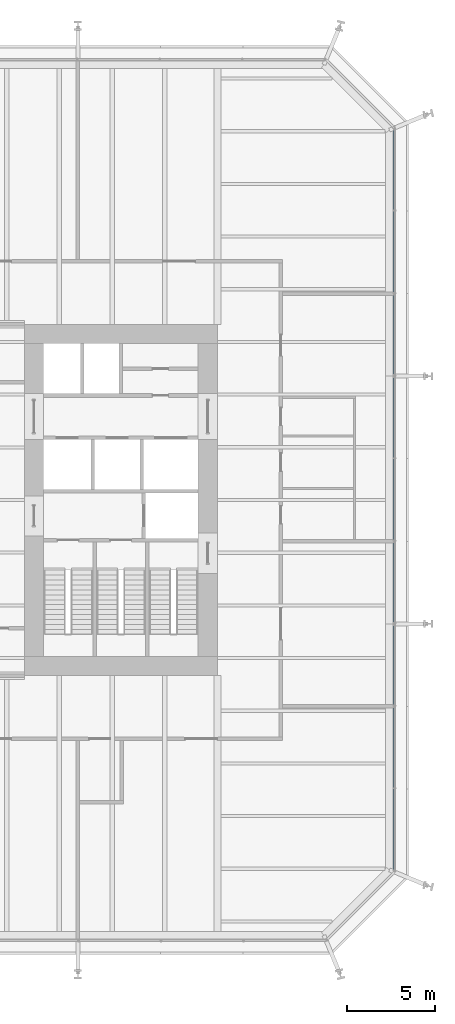
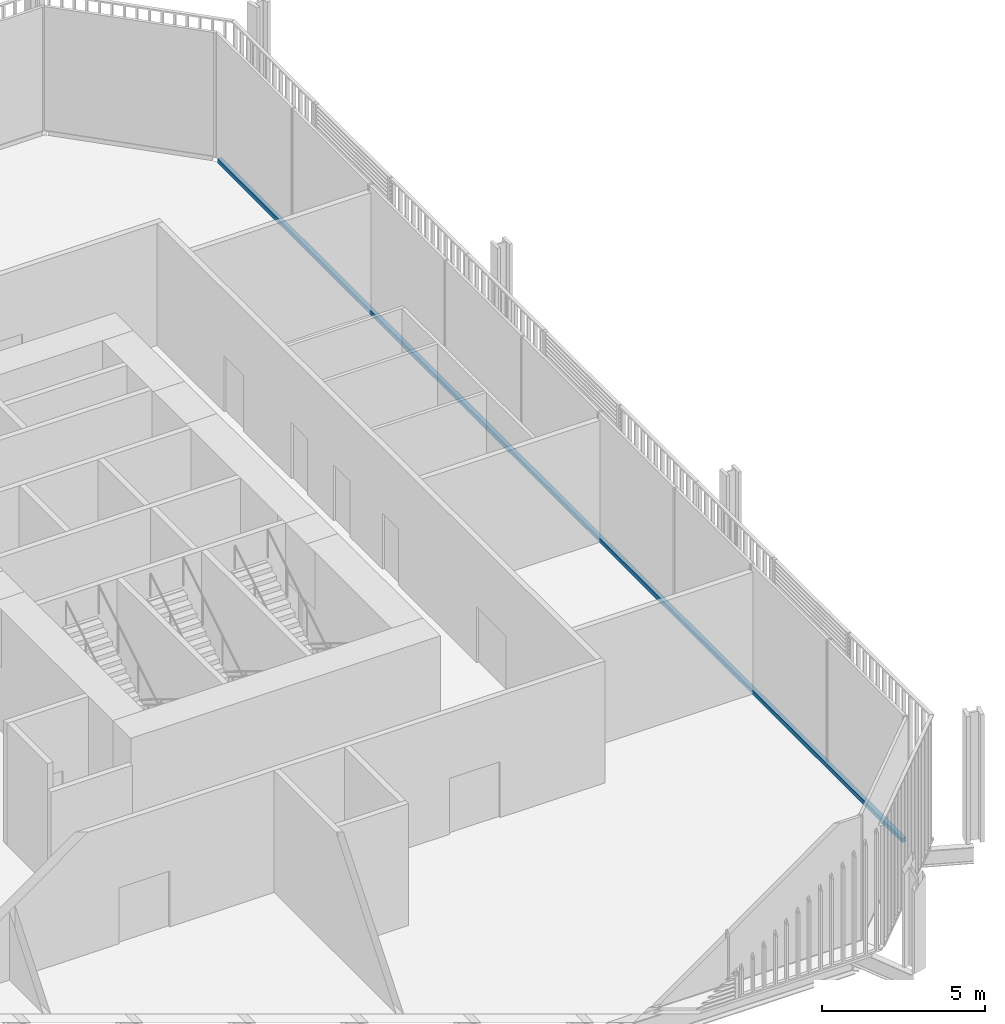
# One storey, part 10 of 22: 1 member, 1 element without a shape of its own.
"""IFC4 building model written with IfcOpenShell, lengths in metres."""

from ifc_helpers import new_model, si_unit, direction, frame, origin, origin_2d, place, context, subcontext, project, spatial, rectangle, extrude, material, layer, layer_set, material_profile, profile_set, type_object, element, aggregate, save


model = new_model("IFC4")

# Units and contexts
model_context = context("Model", 3, precision=1e-05, world=origin(), true_north=direction((0.0, 1.0)))
body_context = subcontext(model_context, "Body", "Model", "MODEL_VIEW")
ifc_project = project(units=[si_unit("LENGTHUNIT", "METRE"), si_unit("AREAUNIT", "SQUARE_METRE"), si_unit("VOLUMEUNIT", "CUBIC_METRE"), si_unit("PLANEANGLEUNIT", "RADIAN"), si_unit("MASSUNIT", "GRAM", prefix="KILO")], contexts=[model_context])

# Site, building, storey
site_placement = place(None, origin())
site = spatial("IfcSite", under=ifc_project, at=site_placement, CompositionType="ELEMENT")
building_placement = place(site_placement, origin())
building = spatial("IfcBuilding", under=site, at=building_placement, Name="Millrace Tower", CompositionType="ELEMENT")
storey_placement = place(building_placement, frame((0.0, 0.0, 40.10009765625)))
storey = spatial("IfcBuildingStorey", under=building, at=storey_placement, Name="L09", CompositionType="ELEMENT", Elevation=40.10009765625)

# Curtain wall, member
ifc_material_1 = material(Name="Aluminium and glass", Category="aluminium")
ifc_layer = layer(ifc_material_1, 0.14990234375)
ifc_layer_set = layer_set([ifc_layer], Name="Aluminium and glass")
curtain_wall_type = type_object("IfcCurtainWallType", Name="CW-2 data hall insulated curtain wall", PredefinedType="NOTDEFINED", material=ifc_layer_set)
curtain_wall_placement = place(storey_placement, origin())
curtain_wall = element("IfcCurtainWall", 1, at=curtain_wall_placement, inside=storey, type_object=curtain_wall_type, Name="Curtain wall A-F04 L09", PredefinedType="NOTDEFINED")
ifc_material_2 = material(Name="Aluminium", Category="aluminium")
ifc_material_profile = material_profile(ifc_material_2, rectangle(XDim=0.14990234375, YDim=0.159912109375, at=origin_2d()))
ifc_profile_set = profile_set([ifc_material_profile], Name="Aluminium")
member_type = type_object("IfcMemberType", Name="CW-2 data hall insulated curtain wall transom", PredefinedType="USERDEFINED", material=ifc_profile_set)
member_placement = place(storey_placement, frame((25.074951171875, -21.050048828125, 0.079833984375), z_axis=(0.0, 1.0, 0.0), x_axis=(-1.0, 0.0, 0.0)))
member = element("IfcMember", 2, at=member_placement, type_object=member_type, Name="CW2 transom A-F04.1", ObjectType="TRANSOM", PredefinedType="USERDEFINED", context=body_context, shape_type="SweptSolid", body=[
    extrude(rectangle(XDim=0.14990234375, YDim=0.159912109375, at=origin_2d()), origin(), (0.0, 0.0, 1.0), 42.10009765625),
])
aggregate(curtain_wall, [member])

save(model, "model.ifc")
